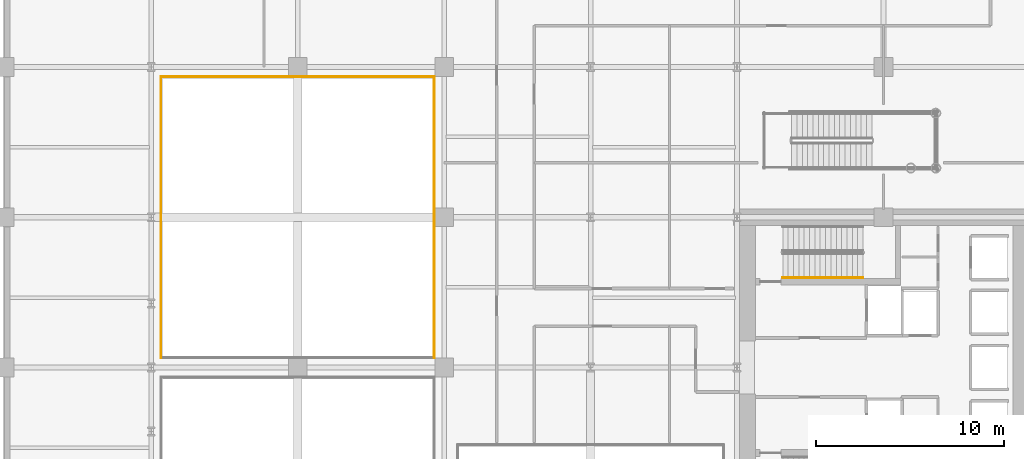
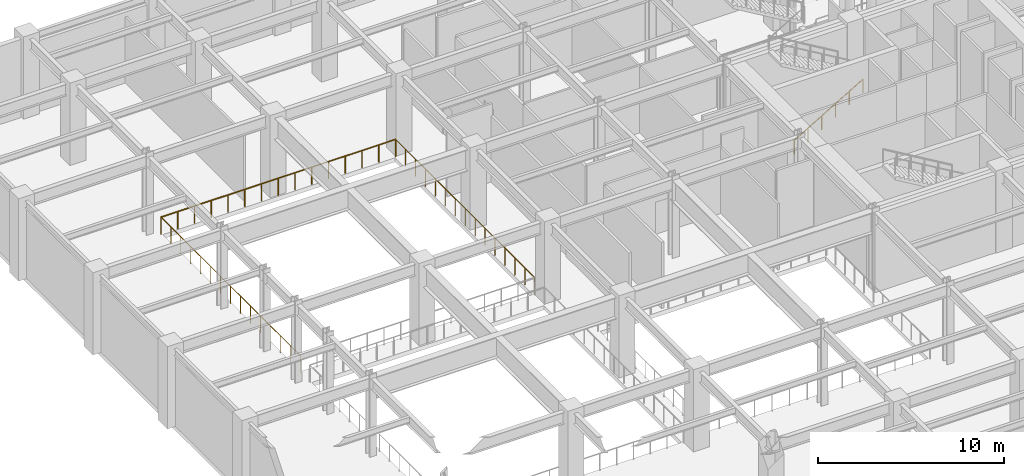
# One storey, part 14 of 15: 4 railings.
"""IFC4 building model written with IfcOpenShell, lengths in metres."""

import ifcopenshell
import ifcopenshell.guid

model = None  # the IFC model being written
_history = None  # IfcOwnerHistory: only IFC2X3 demands one
_inside = {}  # id of a spatial element -> (the spatial element, [elements in it])
_under = {}  # id of a project, library or spatial element -> (it, [spatial elements below it])
_declared = {}  # id of a project -> (the project, [libraries it declares])
_typed = {}  # id of a type object -> (the type object, [elements of that type])
_made_of = {}  # id of a material, layer set ... -> (it, [elements and type objects made of it])


def new_model(schema):
    """Start an empty IFC model of exactly this schema.

    Asked for "IFC4X3", IfcOpenShell would pick the latest addendum, in which some entities
    have other attributes; the version numbers below select the first issue.
    IFC2X3 requires an IfcOwnerHistory on every rooted entity: one is made here for all.
    """
    global model, _history
    if schema == "IFC4X3":
        model = ifcopenshell.file(schema_version=(4, 3, 0, 0))
    else:
        model = ifcopenshell.file(schema=schema)
    _inside.clear()
    _under.clear()
    _declared.clear()
    _typed.clear()
    _made_of.clear()
    _history = None
    if model.schema == "IFC2X3":
        org = make("IfcOrganization", Name="unknown")
        user = make(
            "IfcPersonAndOrganization",
            ThePerson=make("IfcPerson", FamilyName="unknown"),
            TheOrganization=org,
        )
        app = make(
            "IfcApplication",
            ApplicationDeveloper=org,
            Version="unknown",
            ApplicationFullName="unknown",
            ApplicationIdentifier="unknown",
        )
        _history = make(
            "IfcOwnerHistory",
            OwningUser=user,
            OwningApplication=app,
            ChangeAction="ADDED",
            CreationDate=0,
        )
    return model


def make(cls, **values):
    """One entity of the class cls with the attributes given. An attribute that is None is left unset."""
    return model.create_entity(
        cls, **{name: value for name, value in values.items() if value is not None}
    )


def rooted(cls, **values):
    """An entity with a GlobalId (a new one), such as an element, a storey or a relation."""
    return make(cls, GlobalId=ifcopenshell.guid.new(), OwnerHistory=_history, **values)


def si_unit(unit_type, name, prefix=None):
    """IfcSIUnit, for example si_unit("LENGTHUNIT", "METRE", prefix="MILLI")."""
    return make("IfcSIUnit", UnitType=unit_type, Prefix=prefix, Name=name)


def assignment(units):
    """IfcUnitAssignment: the units of a project."""
    return None if units is None else make("IfcUnitAssignment", Units=units)


def point(xyz):
    """IfcCartesianPoint."""
    return None if xyz is None else make("IfcCartesianPoint", Coordinates=xyz)


def direction(xyz):
    """IfcDirection."""
    return None if xyz is None else make("IfcDirection", DirectionRatios=xyz)


def frame(location, z_axis=None, x_axis=None):
    """IfcAxis2Placement3D, a coordinate frame: its origin and axes. An axis left out is left unset."""
    return make(
        "IfcAxis2Placement3D",
        Location=point(location),
        Axis=direction(z_axis),
        RefDirection=direction(x_axis),
    )


def frame_2d(location, x_axis=None):
    """IfcAxis2Placement2D, a coordinate frame in the plane: its origin and x axis."""
    return make(
        "IfcAxis2Placement2D", Location=point(location), RefDirection=direction(x_axis)
    )


def origin():
    """The frame at (0, 0, 0) with its axes left unset."""
    return frame((0.0, 0.0, 0.0))


def origin_2d():
    """The frame at (0, 0) in the plane with its x axis left unset."""
    return frame_2d((0.0, 0.0))


def place(relative_to, where):
    """IfcLocalPlacement: puts the frame where relative to a parent placement (None: the world)."""
    return make(
        "IfcLocalPlacement", PlacementRelTo=relative_to, RelativePlacement=where
    )


def context(
    kind, dimensions, precision=None, world=None, true_north=None, identifier=None
):
    """IfcGeometricRepresentationContext, for example the 3D "Model" context."""
    return make(
        "IfcGeometricRepresentationContext",
        ContextIdentifier=identifier,
        ContextType=kind,
        CoordinateSpaceDimension=dimensions,
        Precision=precision,
        WorldCoordinateSystem=world,
        TrueNorth=true_north,
    )


def subcontext(parent, identifier, kind, view, scale=None):
    """IfcGeometricRepresentationSubContext, for example "Body" below "Model"."""
    return make(
        "IfcGeometricRepresentationSubContext",
        ContextIdentifier=identifier,
        ContextType=kind,
        ParentContext=parent,
        TargetScale=scale,
        TargetView=view,
    )


def project(units=None, contexts=None):
    """IfcProject with its units and contexts."""
    return rooted(
        "IfcProject",
        Name="project",
        RepresentationContexts=contexts,
        UnitsInContext=assignment(units),
    )


def spatial(cls, under=None, at=None, **own):
    """A site, building, storey or space (cls), placed at a placement, below another one or the project."""
    s = rooted(cls, ObjectPlacement=at, **own)
    if under is not None:
        _under.setdefault(under.id(), (under, []))[1].append(s)
    return s


def profile(cls, at=None, kind="AREA", **sizes):
    """A parametric profile (cls). Its sizes go by their IFC names, for example OverallWidth=200.0."""
    return make(cls, ProfileType=kind, Position=at, **sizes)


def circle(**sizes):
    """IfcCircleProfileDef."""
    return profile("IfcCircleProfileDef", **sizes)


def extrude(swept, where, along, depth):
    """IfcExtrudedAreaSolid: the profile swept, set in the frame where, extruded along a direction by depth."""
    return make(
        "IfcExtrudedAreaSolid",
        SweptArea=swept,
        Position=where,
        ExtrudedDirection=direction(along),
        Depth=depth,
    )


def shape(context_of_items, identifier, shape_type, items):
    """IfcShapeRepresentation: the items that make up one representation, for example the "Body"."""
    return make(
        "IfcShapeRepresentation",
        ContextOfItems=context_of_items,
        RepresentationIdentifier=identifier,
        RepresentationType=shape_type,
        Items=items,
    )


def material(Name=None, Category=None):
    """IfcMaterial."""
    return make("IfcMaterial", Name=Name, Category=Category)


def made_of(thing, what):
    """Note that an element or type object is made of a material, layer set ...; save() writes the relation."""
    if what is not None:
        _made_of.setdefault(what.id(), (what, []))[1].append(thing)
    return thing


def type_object(cls, material=None, **own):
    """A type object (cls), such as IfcWallType, which elements share."""
    return made_of(rooted(cls, **own), material)


def element(
    cls,
    number,
    at=None,
    inside=None,
    cuts=None,
    type_object=None,
    material=None,
    context=None,
    identifier="Body",
    shape_type=None,
    held_by="IfcProductDefinitionShape",
    body=None,
    shapes=None,
    **own,
):
    """One element of the class cls, such as IfcWall. Its Tag is "e" and its number.

    at: its placement. inside: the storey or other place that contains it. cuts: it is an
    opening in that element (IfcRelVoidsElement). A single representation is given by context,
    identifier, shape_type and body (its items); several are given by shapes. held_by: the class
    of the entity that holds the representations. save() writes the other relations.
    """
    e = rooted(cls, Tag="e%d" % number, ObjectPlacement=at, **own)
    if body is not None:
        shapes = [shape(context, identifier, shape_type, body)]
    if shapes is not None:
        e.Representation = make(held_by, Representations=shapes)
    if inside is not None:
        _inside.setdefault(inside.id(), (inside, []))[1].append(e)
    if cuts is not None:
        rooted(
            "IfcRelVoidsElement", RelatingBuildingElement=cuts, RelatedOpeningElement=e
        )
    if type_object is not None:
        _typed.setdefault(type_object.id(), (type_object, []))[1].append(e)
    return made_of(e, material)


def aggregate(whole, parts):
    """IfcRelAggregates: a whole, such as a stair, and the parts it consists of."""
    return rooted("IfcRelAggregates", RelatingObject=whole, RelatedObjects=parts)


def save(model, path):
    """Write the relations noted so far, then the file.

    IfcRelAggregates (storeys below a building ...), IfcRelContainedInSpatialStructure (elements
    in a storey), IfcRelDefinesByType, IfcRelAssociatesMaterial and IfcRelDeclares: one each for
    every whole, place, type object, material and project.
    """
    for whole, parts in _under.values():
        aggregate(whole, parts)
    for where, things in _inside.values():
        rooted(
            "IfcRelContainedInSpatialStructure",
            RelatedElements=things,
            RelatingStructure=where,
        )
    for kind, things in _typed.values():
        rooted("IfcRelDefinesByType", RelatedObjects=things, RelatingType=kind)
    for what, things in _made_of.values():
        rooted("IfcRelAssociatesMaterial", RelatedObjects=things, RelatingMaterial=what)
    for by, libraries in _declared.values():
        rooted("IfcRelDeclares", RelatingContext=by, RelatedDefinitions=libraries)
    model.write(path)


model = new_model("IFC4")

# Units and contexts
model_context = context("Model", 3, precision=1e-05, world=origin(), true_north=direction((0.0, 1.0)))
body_context = subcontext(model_context, "Body", "Model", "MODEL_VIEW")
ifc_project = project(units=[si_unit("LENGTHUNIT", "METRE"), si_unit("AREAUNIT", "SQUARE_METRE"), si_unit("VOLUMEUNIT", "CUBIC_METRE"), si_unit("PLANEANGLEUNIT", "RADIAN"), si_unit("MASSUNIT", "GRAM", prefix="KILO")], contexts=[model_context])

# Site, building, storey
site_placement = place(None, origin())
site = spatial("IfcSite", under=ifc_project, at=site_placement, CompositionType="ELEMENT")
building_placement = place(site_placement, origin())
building = spatial("IfcBuilding", under=site, at=building_placement, Name="Veymaron Broadcast Tower", CompositionType="ELEMENT")
storey_placement = place(building_placement, frame((0.0, 0.0, 5.39990234375)))
storey = spatial("IfcBuildingStorey", under=building, at=storey_placement, Name="L01", CompositionType="ELEMENT", Elevation=5.39990234375)

# Railings
ifc_material_1 = material(Name="Laminated structural glass and stainless handrail", Category="glass")
railing_type_1 = type_object("IfcRailingType", Name="RAIL-ATR-BAL", PredefinedType="BALUSTRADE", material=ifc_material_1)
railing_1_placement = place(storey_placement, frame((22.8798828125, 24.52001953125, 0.0)))
element("IfcRailing", 1, at=railing_1_placement, inside=storey, type_object=railing_type_1, Name="L01 double-height studio void V2 balustrade 2", PredefinedType="BALUSTRADE", context=body_context, shape_type="SweptSolid", body=[
    extrude(circle(Radius=0.02392578125, at=origin_2d()), frame((0.0, 0.0, 1.1259765625), z_axis=(0.0, 1.0, 0.0), x_axis=(-1.0, 0.0, 0.0)), (0.0, 0.0, 1.0), 14.9599609375),
    extrude(circle(Radius=0.02099609375, at=origin_2d()), origin(), (0.0, 0.0, 1.0), 1.101806640625),
    extrude(circle(Radius=0.02099609375, at=origin_2d()), frame((0.0, 1.068603515625, 0.0)), (0.0, 0.0, 1.0), 1.101806640625),
    extrude(circle(Radius=0.02099609375, at=origin_2d()), frame((0.0, 2.13720703125, 0.0)), (0.0, 0.0, 1.0), 1.101806640625),
    extrude(circle(Radius=0.02099609375, at=origin_2d()), frame((0.0, 3.205810546875, 0.0)), (0.0, 0.0, 1.0), 1.101806640625),
    extrude(circle(Radius=0.02099609375, at=origin_2d()), frame((0.0, 4.274169921875, 0.0)), (0.0, 0.0, 1.0), 1.101806640625),
    extrude(circle(Radius=0.02099609375, at=origin_2d()), frame((0.0, 5.3427734375, 0.0)), (0.0, 0.0, 1.0), 1.101806640625),
    extrude(circle(Radius=0.02099609375, at=origin_2d()), frame((0.0, 6.411376953125, 0.0)), (0.0, 0.0, 1.0), 1.101806640625),
    extrude(circle(Radius=0.02099609375, at=origin_2d()), frame((0.0, 7.47998046875, 0.0)), (0.0, 0.0, 1.0), 1.101806640625),
    extrude(circle(Radius=0.02099609375, at=origin_2d()), frame((0.0, 8.548583984375, 0.0)), (0.0, 0.0, 1.0), 1.101806640625),
    extrude(circle(Radius=0.02099609375, at=origin_2d()), frame((0.0, 9.6171875, 0.0)), (0.0, 0.0, 1.0), 1.101806640625),
    extrude(circle(Radius=0.02099609375, at=origin_2d()), frame((0.0, 10.685791015625, 0.0)), (0.0, 0.0, 1.0), 1.101806640625),
    extrude(circle(Radius=0.02099609375, at=origin_2d()), frame((0.0, 11.754150390625, 0.0)), (0.0, 0.0, 1.0), 1.101806640625),
    extrude(circle(Radius=0.02099609375, at=origin_2d()), frame((0.0, 12.82275390625, 0.0)), (0.0, 0.0, 1.0), 1.101806640625),
    extrude(circle(Radius=0.02099609375, at=origin_2d()), frame((0.0, 13.891357421875, 0.0)), (0.0, 0.0, 1.0), 1.101806640625),
    extrude(circle(Radius=0.02099609375, at=origin_2d()), frame((0.0, 14.9599609375, 0.0)), (0.0, 0.0, 1.0), 1.101806640625),
])
railing_2_placement = place(storey_placement, frame((22.8798828125, 39.47998046875, 0.0)))
element("IfcRailing", 2, at=railing_2_placement, inside=storey, type_object=railing_type_1, Name="L01 double-height studio void V2 balustrade 3", PredefinedType="BALUSTRADE", context=body_context, shape_type="SweptSolid", body=[
    extrude(circle(Radius=0.02392578125, at=origin_2d()), frame((0.0, 0.0, 1.1259765625), z_axis=(-1.0, 0.0, 0.0), x_axis=(0.0, -1.0, 0.0)), (0.0, 0.0, 1.0), 14.559814453125),
    extrude(circle(Radius=0.02099609375, at=origin_2d()), origin(), (0.0, 0.0, 1.0), 1.101806640625),
    extrude(circle(Radius=0.02099609375, at=origin_2d()), frame((-1.0400390625, 0.0, 0.0)), (0.0, 0.0, 1.0), 1.101806640625),
    extrude(circle(Radius=0.02099609375, at=origin_2d()), frame((-2.080078125, 0.0, 0.0)), (0.0, 0.0, 1.0), 1.101806640625),
    extrude(circle(Radius=0.02099609375, at=origin_2d()), frame((-3.119873046875, 0.0, 0.0)), (0.0, 0.0, 1.0), 1.101806640625),
    extrude(circle(Radius=0.02099609375, at=origin_2d()), frame((-4.159912109375, 0.0, 0.0)), (0.0, 0.0, 1.0), 1.101806640625),
    extrude(circle(Radius=0.02099609375, at=origin_2d()), frame((-5.199951171875, 0.0, 0.0)), (0.0, 0.0, 1.0), 1.101806640625),
    extrude(circle(Radius=0.02099609375, at=origin_2d()), frame((-6.239990234375, 0.0, 0.0)), (0.0, 0.0, 1.0), 1.101806640625),
    extrude(circle(Radius=0.02099609375, at=origin_2d()), frame((-7.27978515625, 0.0, 0.0)), (0.0, 0.0, 1.0), 1.101806640625),
    extrude(circle(Radius=0.02099609375, at=origin_2d()), frame((-8.31982421875, 0.0, 0.0)), (0.0, 0.0, 1.0), 1.101806640625),
    extrude(circle(Radius=0.02099609375, at=origin_2d()), frame((-9.35986328125, 0.0, 0.0)), (0.0, 0.0, 1.0), 1.101806640625),
    extrude(circle(Radius=0.02099609375, at=origin_2d()), frame((-10.39990234375, 0.0, 0.0)), (0.0, 0.0, 1.0), 1.101806640625),
    extrude(circle(Radius=0.02099609375, at=origin_2d()), frame((-11.43994140625, 0.0, 0.0)), (0.0, 0.0, 1.0), 1.101806640625),
    extrude(circle(Radius=0.02099609375, at=origin_2d()), frame((-12.479736328125, 0.0, 0.0)), (0.0, 0.0, 1.0), 1.101806640625),
    extrude(circle(Radius=0.02099609375, at=origin_2d()), frame((-13.519775390625, 0.0, 0.0)), (0.0, 0.0, 1.0), 1.101806640625),
    extrude(circle(Radius=0.02099609375, at=origin_2d()), frame((-14.559814453125, 0.0, 0.0)), (0.0, 0.0, 1.0), 1.101806640625),
])
railing_3_placement = place(storey_placement, frame((8.320068359375, 39.47998046875, 0.0)))
element("IfcRailing", 3, at=railing_3_placement, inside=storey, type_object=railing_type_1, Name="L01 double-height studio void V2 balustrade 4", PredefinedType="BALUSTRADE", context=body_context, shape_type="SweptSolid", body=[
    extrude(circle(Radius=0.02392578125, at=origin_2d()), frame((0.0, 0.0, 1.1259765625), z_axis=(0.0, -1.0, 0.0), x_axis=(1.0, 0.0, 0.0)), (0.0, 0.0, 1.0), 14.9599609375),
    extrude(circle(Radius=0.02099609375, at=origin_2d()), origin(), (0.0, 0.0, 1.0), 1.101806640625),
    extrude(circle(Radius=0.02099609375, at=origin_2d()), frame((0.0, -1.068603515625, 0.0)), (0.0, 0.0, 1.0), 1.101806640625),
    extrude(circle(Radius=0.02099609375, at=origin_2d()), frame((0.0, -2.13720703125, 0.0)), (0.0, 0.0, 1.0), 1.101806640625),
    extrude(circle(Radius=0.02099609375, at=origin_2d()), frame((0.0, -3.205810546875, 0.0)), (0.0, 0.0, 1.0), 1.101806640625),
    extrude(circle(Radius=0.02099609375, at=origin_2d()), frame((0.0, -4.274169921875, 0.0)), (0.0, 0.0, 1.0), 1.101806640625),
    extrude(circle(Radius=0.02099609375, at=origin_2d()), frame((0.0, -5.3427734375, 0.0)), (0.0, 0.0, 1.0), 1.101806640625),
    extrude(circle(Radius=0.02099609375, at=origin_2d()), frame((0.0, -6.411376953125, 0.0)), (0.0, 0.0, 1.0), 1.101806640625),
    extrude(circle(Radius=0.02099609375, at=origin_2d()), frame((0.0, -7.47998046875, 0.0)), (0.0, 0.0, 1.0), 1.101806640625),
    extrude(circle(Radius=0.02099609375, at=origin_2d()), frame((0.0, -8.548583984375, 0.0)), (0.0, 0.0, 1.0), 1.101806640625),
    extrude(circle(Radius=0.02099609375, at=origin_2d()), frame((0.0, -9.6171875, 0.0)), (0.0, 0.0, 1.0), 1.101806640625),
    extrude(circle(Radius=0.02099609375, at=origin_2d()), frame((0.0, -10.685791015625, 0.0)), (0.0, 0.0, 1.0), 1.101806640625),
    extrude(circle(Radius=0.02099609375, at=origin_2d()), frame((0.0, -11.754150390625, 0.0)), (0.0, 0.0, 1.0), 1.101806640625),
    extrude(circle(Radius=0.02099609375, at=origin_2d()), frame((0.0, -12.82275390625, 0.0)), (0.0, 0.0, 1.0), 1.101806640625),
    extrude(circle(Radius=0.02099609375, at=origin_2d()), frame((0.0, -13.891357421875, 0.0)), (0.0, 0.0, 1.0), 1.101806640625),
    extrude(circle(Radius=0.02099609375, at=origin_2d()), frame((0.0, -14.9599609375, 0.0)), (0.0, 0.0, 1.0), 1.101806640625),
])
ifc_material_2 = material(Name="Brushed stainless steel AISI 304", Category="steel")
railing_type_2 = type_object("IfcRailingType", Name="RAIL-STAIR-HR", PredefinedType="HANDRAIL", material=ifc_material_2)
railing_4_placement = place(storey_placement, frame((41.429931640625, 28.780029296875, 0.1689453125)))
element("IfcRailing", 4, at=railing_4_placement, inside=storey, type_object=railing_type_2, Name="L01 ST1 stair handrail 1", PredefinedType="HANDRAIL", context=body_context, shape_type="SweptSolid", body=[
    extrude(circle(Radius=0.02392578125, at=origin_2d()), frame((0.0, 0.0, 0.8759765625), z_axis=(0.860483042394, 0.0, 0.50947908078), x_axis=(0.0, 1.0, 0.0)), (0.0, 0.0, 1.0), 4.96826171875),
    extrude(circle(Radius=0.02099609375, at=origin_2d()), origin(), (0.0, 0.0, 1.0), 0.851806640625),
    extrude(circle(Radius=0.02099609375, at=origin_2d()), frame((0.85498046875, 0.0, 0.50634765625)), (0.0, 0.0, 1.0), 0.851806640625),
    extrude(circle(Radius=0.02099609375, at=origin_2d()), frame((1.7099609375, 0.0, 1.012451171875)), (0.0, 0.0, 1.0), 0.851806640625),
    extrude(circle(Radius=0.02099609375, at=origin_2d()), frame((2.565185546875, 0.0, 1.518798828125)), (0.0, 0.0, 1.0), 0.851806640625),
    extrude(circle(Radius=0.02099609375, at=origin_2d()), frame((3.420166015625, 0.0, 2.02490234375)), (0.0, 0.0, 1.0), 0.851806640625),
    extrude(circle(Radius=0.02099609375, at=origin_2d()), frame((4.275146484375, 0.0, 2.53125)), (0.0, 0.0, 1.0), 0.851806640625),
])

save(model, "model.ifc")
